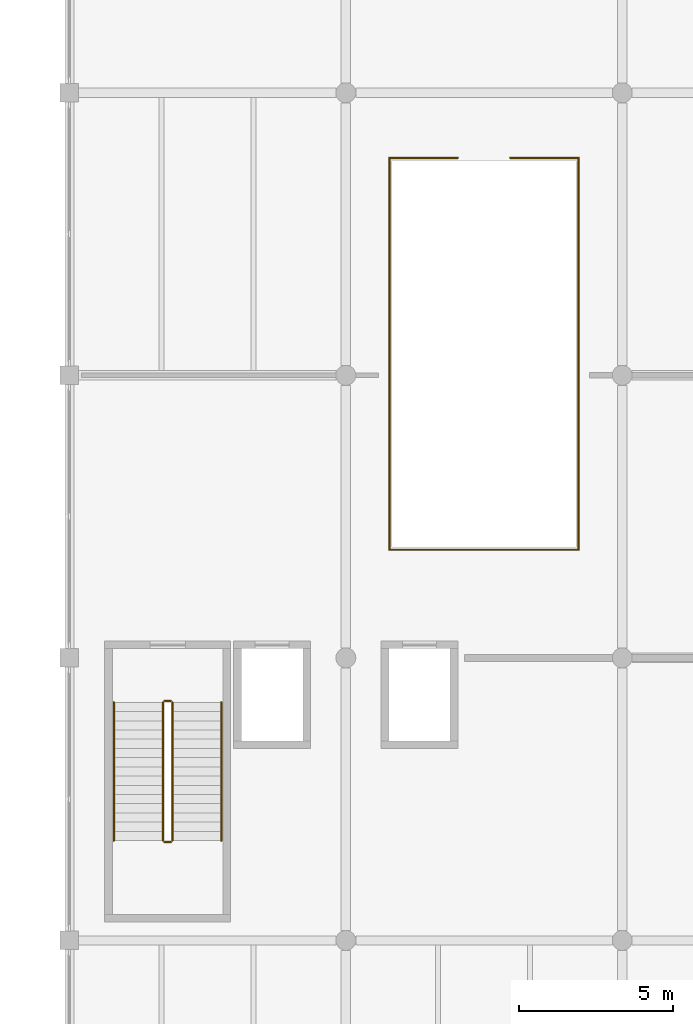
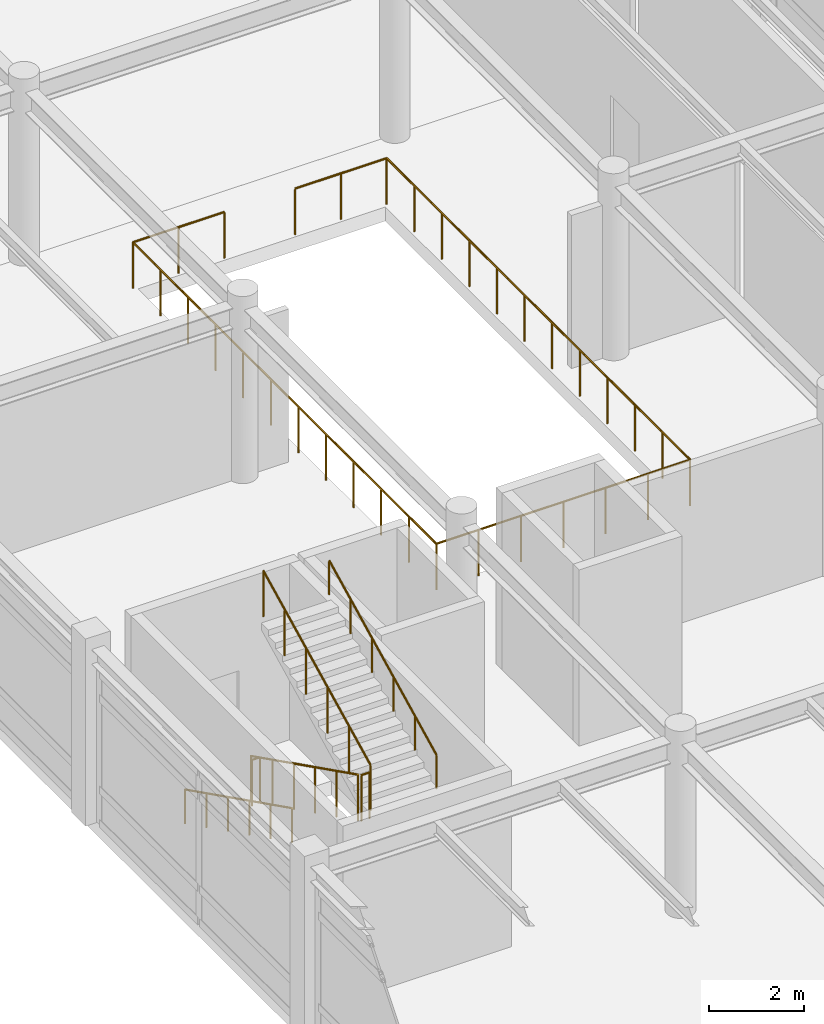
# One storey, part 58 of 61: 11 railings.
"""IFC4 building model written with IfcOpenShell, lengths in metres."""

from ifc_helpers import new_model, si_unit, direction, frame, origin, origin_2d, place, context, subcontext, project, spatial, circle, extrude, material, type_object, element, save


model = new_model("IFC4")

# Units and contexts
model_context = context("Model", 3, precision=1e-05, world=origin(), true_north=direction((0.0, 1.0)))
body_context = subcontext(model_context, "Body", "Model", "MODEL_VIEW")
ifc_project = project(units=[si_unit("LENGTHUNIT", "METRE"), si_unit("AREAUNIT", "SQUARE_METRE"), si_unit("VOLUMEUNIT", "CUBIC_METRE"), si_unit("PLANEANGLEUNIT", "RADIAN"), si_unit("MASSUNIT", "GRAM", prefix="KILO")], contexts=[model_context])

# Site, building, storey
site_placement = place(None, origin())
site = spatial("IfcSite", under=ifc_project, at=site_placement, CompositionType="ELEMENT")
building_placement = place(site_placement, origin())
building = spatial("IfcBuilding", under=site, at=building_placement, Name="Bozkorgan Art Gallery", CompositionType="ELEMENT")
storey_placement = place(building_placement, frame((0.0, 0.0, 10.199951171875)))
storey = spatial("IfcBuildingStorey", under=building, at=storey_placement, Name="L02", CompositionType="ELEMENT", Elevation=10.199951171875)

# Railings
ifc_material = material(Name="Steel S355J2", Category="steel")
railing_type_1 = type_object("IfcRailingType", Name="RAIL-BAL-INT", PredefinedType="BALUSTRADE", material=ifc_material)
railing_1_placement = place(storey_placement, frame((84.419921875, 69.52001953125, 0.0)))
element("IfcRailing", 1, at=railing_1_placement, inside=storey, type_object=railing_type_1, Name="V4 L02 concourse_east_atrium guard S", PredefinedType="BALUSTRADE", context=body_context, shape_type="SweptSolid", body=[
    extrude(circle(Radius=0.02392578125, at=origin_2d()), frame((0.0, 0.0, 1.17578125), z_axis=(1.0, 0.0, 0.0), x_axis=(0.0, 1.0, 0.0)), (0.0, 0.0, 1.0), 6.16015625),
    extrude(circle(Radius=0.02099609375, at=origin_2d()), origin(), (0.0, 0.0, 1.0), 1.15185546875),
    extrude(circle(Radius=0.02099609375, at=origin_2d()), frame((1.026611328125, 0.0, 0.0)), (0.0, 0.0, 1.0), 1.15185546875),
    extrude(circle(Radius=0.02099609375, at=origin_2d()), frame((2.053466796875, 0.0, 0.0)), (0.0, 0.0, 1.0), 1.15185546875),
    extrude(circle(Radius=0.02099609375, at=origin_2d()), frame((3.080078125, 0.0, 0.0)), (0.0, 0.0, 1.0), 1.15185546875),
    extrude(circle(Radius=0.02099609375, at=origin_2d()), frame((4.106689453125, 0.0, 0.0)), (0.0, 0.0, 1.0), 1.15185546875),
    extrude(circle(Radius=0.02099609375, at=origin_2d()), frame((5.133544921875, 0.0, 0.0)), (0.0, 0.0, 1.0), 1.15185546875),
    extrude(circle(Radius=0.02099609375, at=origin_2d()), frame((6.16015625, 0.0, 0.0)), (0.0, 0.0, 1.0), 1.15185546875),
])
for number, where, name in (
    (2, (84.419921875, 69.52001953125, 0.0), "V4 L02 concourse_east_atrium guard W"),
    (3, (90.580078125, 69.52001953125, 0.0), "V4 L02 concourse_east_atrium guard E"),
):
    element("IfcRailing", number, at=place(storey_placement, frame(where)), inside=storey, type_object=railing_type_1, Name=name, PredefinedType="BALUSTRADE", context=body_context, shape_type="SweptSolid", body=[
        extrude(circle(Radius=0.02392578125, at=origin_2d()), frame((0.0, 0.0, 1.17578125), z_axis=(0.0, 1.0, 0.0), x_axis=(-1.0, 0.0, 0.0)), (0.0, 0.0, 1.0), 12.760009765625),
        extrude(circle(Radius=0.02099609375, at=origin_2d()), origin(), (0.0, 0.0, 1.0), 1.15185546875),
        extrude(circle(Radius=0.02099609375, at=origin_2d()), frame((0.0, 1.159912109375, 0.0)), (0.0, 0.0, 1.0), 1.15185546875),
        extrude(circle(Radius=0.02099609375, at=origin_2d()), frame((0.0, 2.320068359375, 0.0)), (0.0, 0.0, 1.0), 1.15185546875),
        extrude(circle(Radius=0.02099609375, at=origin_2d()), frame((0.0, 3.47998046875, 0.0)), (0.0, 0.0, 1.0), 1.15185546875),
        extrude(circle(Radius=0.02099609375, at=origin_2d()), frame((0.0, 4.639892578125, 0.0)), (0.0, 0.0, 1.0), 1.15185546875),
        extrude(circle(Radius=0.02099609375, at=origin_2d()), frame((0.0, 5.800048828125, 0.0)), (0.0, 0.0, 1.0), 1.15185546875),
        extrude(circle(Radius=0.02099609375, at=origin_2d()), frame((0.0, 6.9599609375, 0.0)), (0.0, 0.0, 1.0), 1.15185546875),
        extrude(circle(Radius=0.02099609375, at=origin_2d()), frame((0.0, 8.1201171875, 0.0)), (0.0, 0.0, 1.0), 1.15185546875),
        extrude(circle(Radius=0.02099609375, at=origin_2d()), frame((0.0, 9.280029296875, 0.0)), (0.0, 0.0, 1.0), 1.15185546875),
        extrude(circle(Radius=0.02099609375, at=origin_2d()), frame((0.0, 10.43994140625, 0.0)), (0.0, 0.0, 1.0), 1.15185546875),
        extrude(circle(Radius=0.02099609375, at=origin_2d()), frame((0.0, 11.60009765625, 0.0)), (0.0, 0.0, 1.0), 1.15185546875),
        extrude(circle(Radius=0.02099609375, at=origin_2d()), frame((0.0, 12.760009765625, 0.0)), (0.0, 0.0, 1.0), 1.15185546875),
    ])
for number, where, name in (
    (4, (84.419921875, 82.280029296875, 0.0), "V4 L02 concourse_east_atrium guard N1"),
    (5, (88.360107421875, 82.280029296875, 0.0), "V4 L02 concourse_east_atrium guard N2"),
):
    element("IfcRailing", number, at=place(storey_placement, frame(where)), inside=storey, type_object=railing_type_1, Name=name, PredefinedType="BALUSTRADE", context=body_context, shape_type="SweptSolid", body=[
        extrude(circle(Radius=0.02392578125, at=origin_2d()), frame((0.0, 0.0, 1.17578125), z_axis=(1.0, 0.0, 0.0), x_axis=(0.0, 1.0, 0.0)), (0.0, 0.0, 1.0), 2.219970703125),
        extrude(circle(Radius=0.02099609375, at=origin_2d()), origin(), (0.0, 0.0, 1.0), 1.15185546875),
        extrude(circle(Radius=0.02099609375, at=origin_2d()), frame((1.10986328125, 0.0, 0.0)), (0.0, 0.0, 1.0), 1.15185546875),
        extrude(circle(Radius=0.02099609375, at=origin_2d()), frame((2.219970703125, 0.0, 0.0)), (0.0, 0.0, 1.0), 1.15185546875),
    ])
railing_type_2 = type_object("IfcRailingType", Name="RAIL-GRD-115", PredefinedType="GUARDRAIL", material=ifc_material)
railing_2_placement = place(storey_placement, frame((77.050048828125, 64.550048828125, 0.150146484375)))
element("IfcRailing", 6, at=railing_2_placement, inside=storey, type_object=railing_type_2, Name="L02 ST2 stair guard 1", PredefinedType="GUARDRAIL", context=body_context, shape_type="SweptSolid", body=[
    extrude(circle(Radius=0.02392578125, at=origin_2d()), frame((0.0, 0.0, 1.17578125), z_axis=(0.0, -0.894427191, 0.4472135955), x_axis=(1.0, 0.0, 0.0)), (0.0, 0.0, 1.0), 5.03125),
    extrude(circle(Radius=0.02099609375, at=origin_2d()), origin(), (0.0, 0.0, 1.0), 1.15185546875),
    extrude(circle(Radius=0.02099609375, at=origin_2d()), frame((0.0, -0.89990234375, 0.449951171875)), (0.0, 0.0, 1.0), 1.15185546875),
    extrude(circle(Radius=0.02099609375, at=origin_2d()), frame((0.0, -1.800048828125, 0.89990234375)), (0.0, 0.0, 1.0), 1.15185546875),
    extrude(circle(Radius=0.02099609375, at=origin_2d()), frame((0.0, -2.699951171875, 1.35009765625)), (0.0, 0.0, 1.0), 1.15185546875),
    extrude(circle(Radius=0.02099609375, at=origin_2d()), frame((0.0, -3.60009765625, 1.800048828125)), (0.0, 0.0, 1.0), 1.15185546875),
    extrude(circle(Radius=0.02099609375, at=origin_2d()), frame((0.0, -4.5, 2.25)), (0.0, 0.0, 1.0), 1.15185546875),
])
railing_3_placement = place(storey_placement, frame((77.10009765625, 60.0, 2.400146484375)))
element("IfcRailing", 7, at=railing_3_placement, inside=storey, type_object=railing_type_2, Name="L02 ST2 stair guard 2", PredefinedType="GUARDRAIL", context=body_context, shape_type="SweptSolid", body=[
    extrude(circle(Radius=0.02392578125, at=origin_2d()), frame((0.0, 0.0, 1.17578125), z_axis=(1.0, 0.0, 0.0), x_axis=(0.0, 1.0, 0.0)), (0.0, 0.0, 1.0), 0.199951171875),
    extrude(circle(Radius=0.02099609375, at=origin_2d()), origin(), (0.0, 0.0, 1.0), 1.15185546875),
    extrude(circle(Radius=0.02099609375, at=origin_2d()), frame((0.199951171875, 0.0, 0.0)), (0.0, 0.0, 1.0), 1.15185546875),
])
railing_4_placement = place(storey_placement, frame((77.35009765625, 60.050048828125, 2.550048828125)))
element("IfcRailing", 8, at=railing_4_placement, inside=storey, type_object=railing_type_2, Name="L02 ST2 stair guard 3", PredefinedType="GUARDRAIL", context=body_context, shape_type="SweptSolid", body=[
    extrude(circle(Radius=0.02392578125, at=origin_2d()), frame((0.0, 0.0, 1.17578125), z_axis=(0.0, 0.894427191, 0.4472135955), x_axis=(-1.0, 0.0, 0.0)), (0.0, 0.0, 1.0), 5.03125),
    extrude(circle(Radius=0.02099609375, at=origin_2d()), origin(), (0.0, 0.0, 1.0), 1.15185546875),
    extrude(circle(Radius=0.02099609375, at=origin_2d()), frame((0.0, 0.89990234375, 0.449951171875)), (0.0, 0.0, 1.0), 1.15185546875),
    extrude(circle(Radius=0.02099609375, at=origin_2d()), frame((0.0, 1.800048828125, 0.89990234375)), (0.0, 0.0, 1.0), 1.15185546875),
    extrude(circle(Radius=0.02099609375, at=origin_2d()), frame((0.0, 2.699951171875, 1.35009765625)), (0.0, 0.0, 1.0), 1.15185546875),
    extrude(circle(Radius=0.02099609375, at=origin_2d()), frame((0.0, 3.60009765625, 1.800048828125)), (0.0, 0.0, 1.0), 1.15185546875),
    extrude(circle(Radius=0.02099609375, at=origin_2d()), frame((0.0, 4.5, 2.25)), (0.0, 0.0, 1.0), 1.15185546875),
])
railing_5_placement = place(storey_placement, frame((77.10009765625, 64.60009765625, 0.0)))
element("IfcRailing", 9, at=railing_5_placement, inside=storey, type_object=railing_type_2, Name="L02 ST2 stair guard 4", PredefinedType="GUARDRAIL", context=body_context, shape_type="SweptSolid", body=[
    extrude(circle(Radius=0.02392578125, at=origin_2d()), frame((0.0, 0.0, 1.17578125), z_axis=(1.0, 0.0, 0.0), x_axis=(0.0, 1.0, 0.0)), (0.0, 0.0, 1.0), 0.199951171875),
    extrude(circle(Radius=0.02099609375, at=origin_2d()), origin(), (0.0, 0.0, 1.0), 1.15185546875),
    extrude(circle(Radius=0.02099609375, at=origin_2d()), frame((0.199951171875, 0.0, 0.0)), (0.0, 0.0, 1.0), 1.15185546875),
])
railing_type_3 = type_object("IfcRailingType", Name="RAIL-HND-092", PredefinedType="HANDRAIL", material=ifc_material)
railing_6_placement = place(storey_placement, frame((75.449951171875, 64.550048828125, 0.150146484375)))
element("IfcRailing", 10, at=railing_6_placement, inside=storey, type_object=railing_type_3, Name="L02 ST2 stair handrail 1", PredefinedType="HANDRAIL", context=body_context, shape_type="SweptSolid", body=[
    extrude(circle(Radius=0.02392578125, at=origin_2d()), frame((0.0, 0.0, 0.8759765625), z_axis=(0.0, -0.894427191, 0.4472135955), x_axis=(1.0, 0.0, 0.0)), (0.0, 0.0, 1.0), 5.03125),
    extrude(circle(Radius=0.02099609375, at=origin_2d()), origin(), (0.0, 0.0, 1.0), 0.851806640625),
    extrude(circle(Radius=0.02099609375, at=origin_2d()), frame((0.0, -0.89990234375, 0.449951171875)), (0.0, 0.0, 1.0), 0.851806640625),
    extrude(circle(Radius=0.02099609375, at=origin_2d()), frame((0.0, -1.800048828125, 0.89990234375)), (0.0, 0.0, 1.0), 0.851806640625),
    extrude(circle(Radius=0.02099609375, at=origin_2d()), frame((0.0, -2.699951171875, 1.35009765625)), (0.0, 0.0, 1.0), 0.851806640625),
    extrude(circle(Radius=0.02099609375, at=origin_2d()), frame((0.0, -3.60009765625, 1.800048828125)), (0.0, 0.0, 1.0), 0.851806640625),
    extrude(circle(Radius=0.02099609375, at=origin_2d()), frame((0.0, -4.5, 2.25)), (0.0, 0.0, 1.0), 0.851806640625),
])
railing_7_placement = place(storey_placement, frame((78.949951171875, 60.050048828125, 2.550048828125)))
element("IfcRailing", 11, at=railing_7_placement, inside=storey, type_object=railing_type_3, Name="L02 ST2 stair handrail 2", PredefinedType="HANDRAIL", context=body_context, shape_type="SweptSolid", body=[
    extrude(circle(Radius=0.02392578125, at=origin_2d()), frame((0.0, 0.0, 0.8759765625), z_axis=(0.0, 0.894427191, 0.4472135955), x_axis=(-1.0, 0.0, 0.0)), (0.0, 0.0, 1.0), 5.03125),
    extrude(circle(Radius=0.02099609375, at=origin_2d()), origin(), (0.0, 0.0, 1.0), 0.851806640625),
    extrude(circle(Radius=0.02099609375, at=origin_2d()), frame((0.0, 0.89990234375, 0.449951171875)), (0.0, 0.0, 1.0), 0.851806640625),
    extrude(circle(Radius=0.02099609375, at=origin_2d()), frame((0.0, 1.800048828125, 0.89990234375)), (0.0, 0.0, 1.0), 0.851806640625),
    extrude(circle(Radius=0.02099609375, at=origin_2d()), frame((0.0, 2.699951171875, 1.35009765625)), (0.0, 0.0, 1.0), 0.851806640625),
    extrude(circle(Radius=0.02099609375, at=origin_2d()), frame((0.0, 3.60009765625, 1.800048828125)), (0.0, 0.0, 1.0), 0.851806640625),
    extrude(circle(Radius=0.02099609375, at=origin_2d()), frame((0.0, 4.5, 2.25)), (0.0, 0.0, 1.0), 0.851806640625),
])

save(model, "model.ifc")
